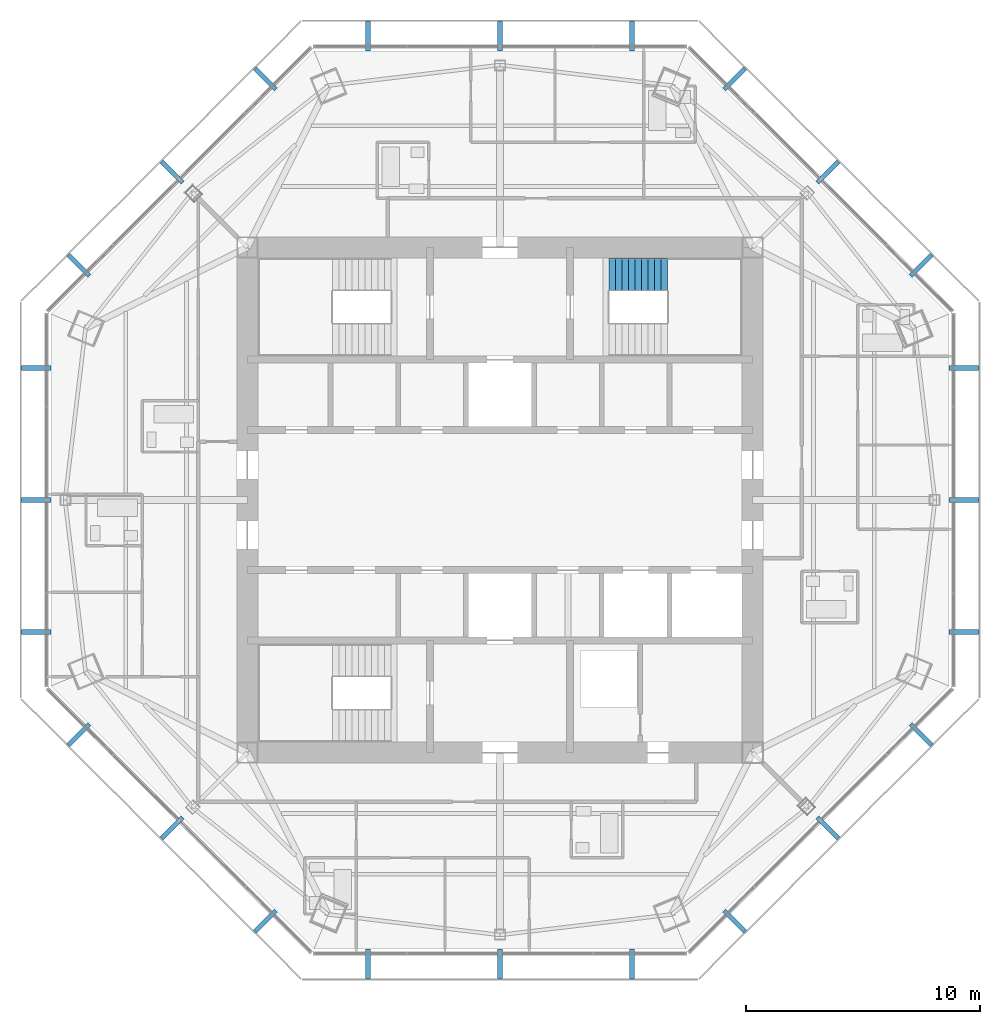
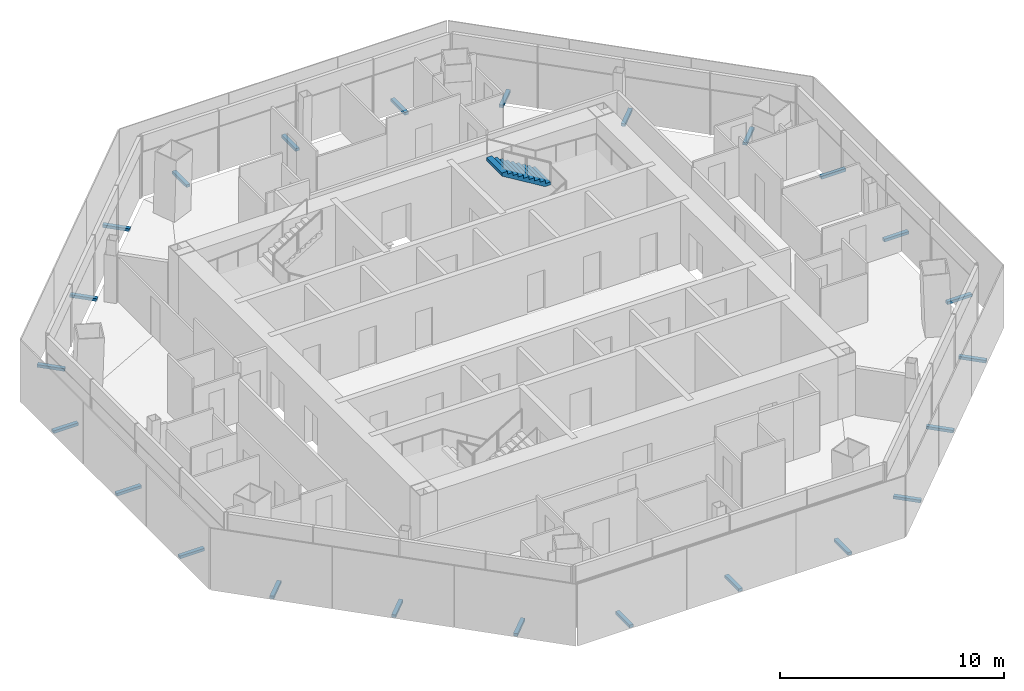
# One storey, part 12 of 15: 24 discrete accessories, 1 stair flight, 1 element without a shape of its own.
"""IFC4 building model written with IfcOpenShell, lengths in metres."""

from ifc_helpers import new_model, si_unit, direction, frame, origin, origin_2d, place, context, subcontext, project, spatial, polyline, rectangle, outline, extrude, source, transform, mapped, material, type_object, type_shapes, element, aggregate, save


model = new_model("IFC4")

# Units and contexts
model_context = context("Model", 3, precision=1e-05, world=origin(), true_north=direction((0.0, 1.0)))
body_context = subcontext(model_context, "Body", "Model", "MODEL_VIEW")
ifc_project = project(units=[si_unit("LENGTHUNIT", "METRE"), si_unit("AREAUNIT", "SQUARE_METRE"), si_unit("VOLUMEUNIT", "CUBIC_METRE"), si_unit("PLANEANGLEUNIT", "RADIAN"), si_unit("MASSUNIT", "GRAM", prefix="KILO")], contexts=[model_context])

# Site, building, storey
site_placement = place(None, origin())
site = spatial("IfcSite", under=ifc_project, at=site_placement, CompositionType="ELEMENT")
building_placement = place(site_placement, origin())
building = spatial("IfcBuilding", under=site, at=building_placement, Name="Mashrafa Tower", CompositionType="ELEMENT")
storey_placement = place(building_placement, frame((0.0, 0.0, 304.800048828125)))
storey = spatial("IfcBuildingStorey", under=building, at=storey_placement, Name="L75", CompositionType="ELEMENT", Elevation=304.800048828125)

# Stair, stair flight
ifc_material_1 = material(Name="Exit stair 1400")
stair_type = type_object("IfcStairType", Name="Exit stair 1400", PredefinedType="HALF_TURN_STAIR", material=ifc_material_1)
stair_placement = place(storey_placement, origin())
stair = element("IfcStair", 1, at=stair_placement, inside=storey, type_object=stair_type, Name="Stair S2 L75", PredefinedType="HALF_TURN_STAIR")
ifc_material_2 = material(Name="Concrete C32/40", Category="concrete")
stair_flight_type = type_object("IfcStairFlightType", Name="Stair flight 1400", PredefinedType="STRAIGHT", material=ifc_material_2)
stair_flight_placement = place(storey_placement, frame((7.169921875, 9.64990234375, 1.699951171875), z_axis=(0.0, 0.0, 1.0), x_axis=(-1.0, 0.0, 0.0)))
stair_flight = element("IfcStairFlight", 2, at=stair_flight_placement, type_object=stair_flight_type, Name="S2 flight 2", NumberOfRisers=10, NumberOfTreads=9, PredefinedType="STRAIGHT", RiserHeight=0.17, TreadLength=0.28, context=body_context, shape_type="SweptSolid", body=[
    extrude(outline(polyline([(0.0, 0.0), (0.0, 0.169921875), (0.280029296875, 0.169921875), (0.280029296875, 0.340087890625), (0.56005859375, 0.340087890625), (0.56005859375, 0.510009765625), (0.840087890625, 0.510009765625), (0.840087890625, 0.679931640625), (1.1201171875, 0.679931640625), (1.1201171875, 0.85009765625), (1.39990234375, 0.85009765625), (1.39990234375, 1.02001953125), (1.679931640625, 1.02001953125), (1.679931640625, 1.18994140625), (1.9599609375, 1.18994140625), (1.9599609375, 1.360107421875), (2.239990234375, 1.360107421875), (2.239990234375, 1.530029296875), (2.52001953125, 1.530029296875), (2.52001953125, 1.699951171875), (2.52001953125, 1.354736328125), (0.288818359375, 0.0), (0.0, 0.0)])), frame((0.0, 0.699951171875, 0.0), z_axis=(0.0, -1.0, 0.0), x_axis=(1.0, 0.0, 0.0)), (0.0, 0.0, 1.0), 1.39990234375),
])
aggregate(stair, [stair_flight])

# Discrete accessories
ifc_material_3 = material(Name="Stainless steel screen bracket", Category="steel")
discrete_accessory_type = type_object("IfcDiscreteAccessoryType", Name="Screen support bracket 200 x 150", PredefinedType="BRACKET", material=ifc_material_3)
shared_shape = source(origin(), body_context, "Body", "SweptSolid", [
    extrude(rectangle(XDim=0.199951171875, YDim=1.27001953125, at=origin_2d()), origin(), (0.0, 0.0, 1.0), 0.14990234375),
])
type_shapes(discrete_accessory_type, [shared_shape])
for number, where, z_axis, x_axis, name in (
    (3, (19.827392578125, -5.643798828125, -0.14990234375), (0.0, 0.0, 1.0), (0.0, 1.0, 0.0), "Screen support bracket L75 east 1"),
    (4, (19.827392578125, 0.0, -0.14990234375), (0.0, 0.0, 1.0), (0.0, 1.0, 0.0), "Screen support bracket L75 east 2"),
    (5, (19.827392578125, 5.643798828125, -0.14990234375), (0.0, 0.0, 1.0), (0.0, 1.0, 0.0), "Screen support bracket L75 east 3"),
    (6, (18.010986328125, 10.029296875, -0.14990234375), (0.0, 0.0, 1.0), (-0.707106781187, 0.707106781187, 0.0), "Screen support bracket L75 north-east 1"),
    (7, (14.02001953125, 14.02001953125, -0.14990234375), (0.0, 0.0, 1.0), (-0.707106781187, 0.707106781187, 0.0), "Screen support bracket L75 north-east 2"),
    (8, (10.029296875, 18.010986328125, -0.14990234375), (0.0, 0.0, 1.0), (-0.707106781187, 0.707106781187, 0.0), "Screen support bracket L75 north-east 3"),
    (9, (5.643798828125, 19.827392578125, -0.14990234375), (0.0, 0.0, 1.0), (-1.0, 0.0, 0.0), "Screen support bracket L75 north 1"),
    (10, (0.0, 19.827392578125, -0.14990234375), (0.0, 0.0, 1.0), (-1.0, 0.0, 0.0), "Screen support bracket L75 north 2"),
    (11, (-5.643798828125, 19.827392578125, -0.14990234375), (0.0, 0.0, 1.0), (-1.0, 0.0, 0.0), "Screen support bracket L75 north 3"),
    (12, (-10.029296875, 18.010986328125, -0.14990234375), (0.0, 0.0, 1.0), (-0.707106781187, -0.707106781187, 0.0), "Screen support bracket L75 north-west 1"),
    (13, (-14.02001953125, 14.02001953125, -0.14990234375), (0.0, 0.0, 1.0), (-0.707106781187, -0.707106781187, 0.0), "Screen support bracket L75 north-west 2"),
    (14, (-18.010986328125, 10.029296875, -0.14990234375), (0.0, 0.0, 1.0), (-0.707106781187, -0.707106781187, 0.0), "Screen support bracket L75 north-west 3"),
    (15, (-19.827392578125, 5.643798828125, -0.14990234375), (0.0, 0.0, 1.0), (0.0, -1.0, 0.0), "Screen support bracket L75 west 1"),
    (16, (-19.827392578125, 0.0, -0.14990234375), (0.0, 0.0, 1.0), (0.0, -1.0, 0.0), "Screen support bracket L75 west 2"),
    (17, (-19.827392578125, -5.643798828125, -0.14990234375), (0.0, 0.0, 1.0), (0.0, -1.0, 0.0), "Screen support bracket L75 west 3"),
    (18, (-18.010986328125, -10.029296875, -0.14990234375), (0.0, 0.0, 1.0), (0.707106781187, -0.707106781187, 0.0), "Screen support bracket L75 south-west 1"),
    (19, (-14.02001953125, -14.02001953125, -0.14990234375), (0.0, 0.0, 1.0), (0.707106781187, -0.707106781187, 0.0), "Screen support bracket L75 south-west 2"),
    (20, (-10.029296875, -18.010986328125, -0.14990234375), (0.0, 0.0, 1.0), (0.707106781187, -0.707106781187, 0.0), "Screen support bracket L75 south-west 3"),
    (21, (-5.643798828125, -19.827392578125, -0.14990234375), (0.0, 0.0, 1.0), (1.0, 0.0, 0.0), "Screen support bracket L75 south 1"),
    (22, (0.0, -19.827392578125, -0.14990234375), (0.0, 0.0, 1.0), (1.0, 0.0, 0.0), "Screen support bracket L75 south 2"),
    (23, (5.643798828125, -19.827392578125, -0.14990234375), (0.0, 0.0, 1.0), (1.0, 0.0, 0.0), "Screen support bracket L75 south 3"),
    (24, (10.029296875, -18.010986328125, -0.14990234375), (0.0, 0.0, 1.0), (0.707106781187, 0.707106781187, 0.0), "Screen support bracket L75 south-east 1"),
    (25, (14.02001953125, -14.02001953125, -0.14990234375), (0.0, 0.0, 1.0), (0.707106781187, 0.707106781187, 0.0), "Screen support bracket L75 south-east 2"),
    (26, (18.010986328125, -10.029296875, -0.14990234375), (0.0, 0.0, 1.0), (0.707106781187, 0.707106781187, 0.0), "Screen support bracket L75 south-east 3"),
):
    element("IfcDiscreteAccessory", number, at=place(storey_placement, frame(where, z_axis=z_axis, x_axis=x_axis)), inside=storey, type_object=discrete_accessory_type, Name=name, PredefinedType="BRACKET", context=body_context, shape_type="MappedRepresentation", body=[
        mapped(shared_shape, transform((0.0, 0.0, 0.0))),
    ])

save(model, "model.ifc")
